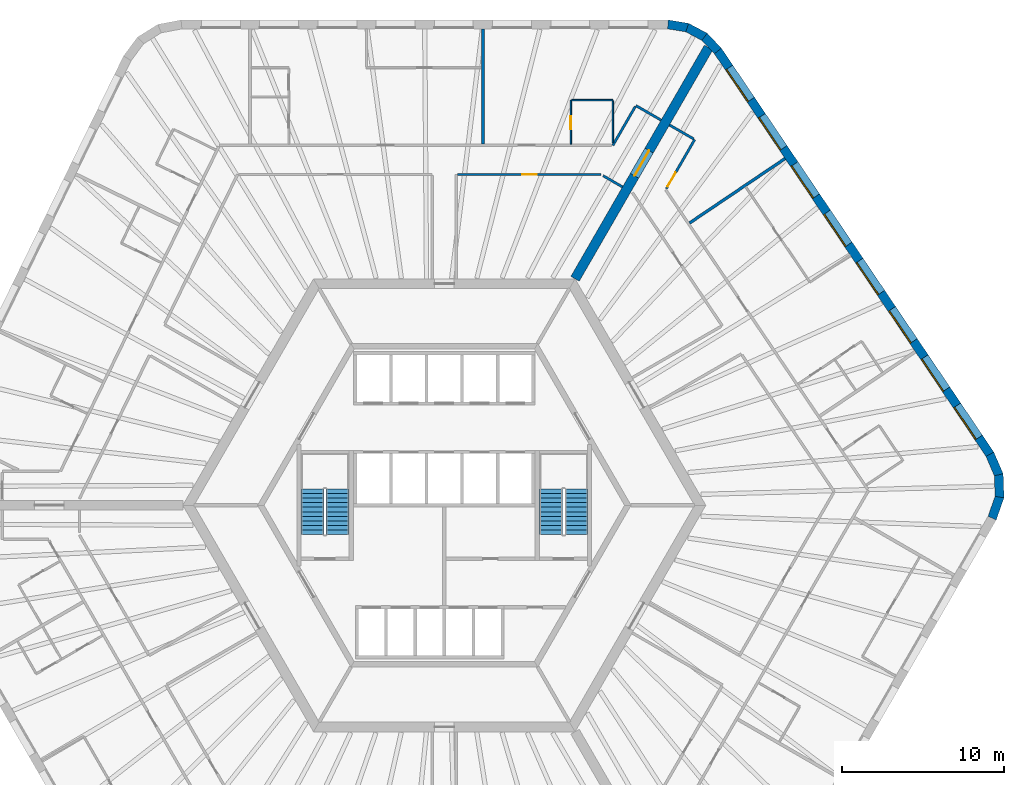
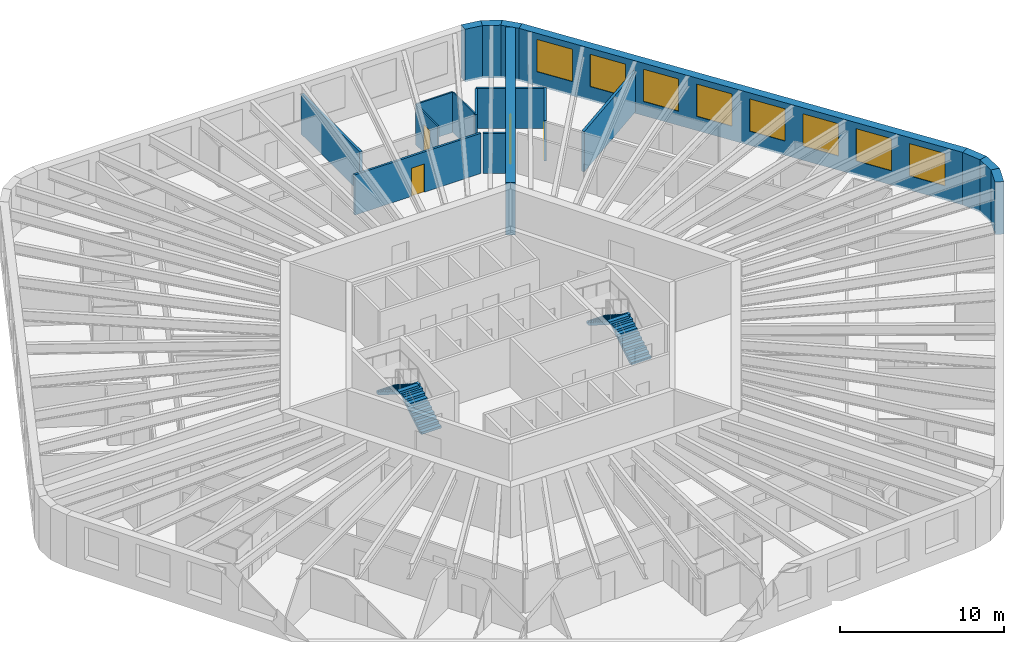
# One storey, part 10 of 11: 19 walls, 8 windows, 4 doors, 4 stair flights, 12 openings, 2 elements without a shape of their own.
"""IFC4 building model written with IfcOpenShell, lengths in metres."""

import ifcopenshell
import ifcopenshell.guid

model = None  # the IFC model being written
_history = None  # IfcOwnerHistory: only IFC2X3 demands one
_inside = {}  # id of a spatial element -> (the spatial element, [elements in it])
_under = {}  # id of a project, library or spatial element -> (it, [spatial elements below it])
_declared = {}  # id of a project -> (the project, [libraries it declares])
_typed = {}  # id of a type object -> (the type object, [elements of that type])
_made_of = {}  # id of a material, layer set ... -> (it, [elements and type objects made of it])


def new_model(schema):
    """Start an empty IFC model of exactly this schema.

    Asked for "IFC4X3", IfcOpenShell would pick the latest addendum, in which some entities
    have other attributes; the version numbers below select the first issue.
    IFC2X3 requires an IfcOwnerHistory on every rooted entity: one is made here for all.
    """
    global model, _history
    if schema == "IFC4X3":
        model = ifcopenshell.file(schema_version=(4, 3, 0, 0))
    else:
        model = ifcopenshell.file(schema=schema)
    _inside.clear()
    _under.clear()
    _declared.clear()
    _typed.clear()
    _made_of.clear()
    _history = None
    if model.schema == "IFC2X3":
        org = make("IfcOrganization", Name="unknown")
        user = make(
            "IfcPersonAndOrganization",
            ThePerson=make("IfcPerson", FamilyName="unknown"),
            TheOrganization=org,
        )
        app = make(
            "IfcApplication",
            ApplicationDeveloper=org,
            Version="unknown",
            ApplicationFullName="unknown",
            ApplicationIdentifier="unknown",
        )
        _history = make(
            "IfcOwnerHistory",
            OwningUser=user,
            OwningApplication=app,
            ChangeAction="ADDED",
            CreationDate=0,
        )
    return model


def make(cls, **values):
    """One entity of the class cls with the attributes given. An attribute that is None is left unset."""
    return model.create_entity(
        cls, **{name: value for name, value in values.items() if value is not None}
    )


def rooted(cls, **values):
    """An entity with a GlobalId (a new one), such as an element, a storey or a relation."""
    return make(cls, GlobalId=ifcopenshell.guid.new(), OwnerHistory=_history, **values)


def si_unit(unit_type, name, prefix=None):
    """IfcSIUnit, for example si_unit("LENGTHUNIT", "METRE", prefix="MILLI")."""
    return make("IfcSIUnit", UnitType=unit_type, Prefix=prefix, Name=name)


def assignment(units):
    """IfcUnitAssignment: the units of a project."""
    return None if units is None else make("IfcUnitAssignment", Units=units)


def point(xyz):
    """IfcCartesianPoint."""
    return None if xyz is None else make("IfcCartesianPoint", Coordinates=xyz)


def direction(xyz):
    """IfcDirection."""
    return None if xyz is None else make("IfcDirection", DirectionRatios=xyz)


def frame(location, z_axis=None, x_axis=None):
    """IfcAxis2Placement3D, a coordinate frame: its origin and axes. An axis left out is left unset."""
    return make(
        "IfcAxis2Placement3D",
        Location=point(location),
        Axis=direction(z_axis),
        RefDirection=direction(x_axis),
    )


def frame_2d(location, x_axis=None):
    """IfcAxis2Placement2D, a coordinate frame in the plane: its origin and x axis."""
    return make(
        "IfcAxis2Placement2D", Location=point(location), RefDirection=direction(x_axis)
    )


def origin():
    """The frame at (0, 0, 0) with its axes left unset."""
    return frame((0.0, 0.0, 0.0))


def place(relative_to, where):
    """IfcLocalPlacement: puts the frame where relative to a parent placement (None: the world)."""
    return make(
        "IfcLocalPlacement", PlacementRelTo=relative_to, RelativePlacement=where
    )


def context(
    kind, dimensions, precision=None, world=None, true_north=None, identifier=None
):
    """IfcGeometricRepresentationContext, for example the 3D "Model" context."""
    return make(
        "IfcGeometricRepresentationContext",
        ContextIdentifier=identifier,
        ContextType=kind,
        CoordinateSpaceDimension=dimensions,
        Precision=precision,
        WorldCoordinateSystem=world,
        TrueNorth=true_north,
    )


def subcontext(parent, identifier, kind, view, scale=None):
    """IfcGeometricRepresentationSubContext, for example "Body" below "Model"."""
    return make(
        "IfcGeometricRepresentationSubContext",
        ContextIdentifier=identifier,
        ContextType=kind,
        ParentContext=parent,
        TargetScale=scale,
        TargetView=view,
    )


def project(units=None, contexts=None):
    """IfcProject with its units and contexts."""
    return rooted(
        "IfcProject",
        Name="project",
        RepresentationContexts=contexts,
        UnitsInContext=assignment(units),
    )


def spatial(cls, under=None, at=None, **own):
    """A site, building, storey or space (cls), placed at a placement, below another one or the project."""
    s = rooted(cls, ObjectPlacement=at, **own)
    if under is not None:
        _under.setdefault(under.id(), (under, []))[1].append(s)
    return s


def polyline(points):
    """IfcPolyline through the points."""
    return make("IfcPolyline", Points=[point(p) for p in points])


def profile(cls, at=None, kind="AREA", **sizes):
    """A parametric profile (cls). Its sizes go by their IFC names, for example OverallWidth=200.0."""
    return make(cls, ProfileType=kind, Position=at, **sizes)


def rectangle(**sizes):
    """IfcRectangleProfileDef."""
    return profile("IfcRectangleProfileDef", **sizes)


def outline(outer, holes=None, kind="AREA"):
    """IfcArbitraryClosedProfileDef: a profile drawn as a closed curve; with holes, ...WithVoids."""
    if holes is None:
        return make("IfcArbitraryClosedProfileDef", ProfileType=kind, OuterCurve=outer)
    return make(
        "IfcArbitraryProfileDefWithVoids",
        ProfileType=kind,
        OuterCurve=outer,
        InnerCurves=holes,
    )


def extrude(swept, where, along, depth):
    """IfcExtrudedAreaSolid: the profile swept, set in the frame where, extruded along a direction by depth."""
    return make(
        "IfcExtrudedAreaSolid",
        SweptArea=swept,
        Position=where,
        ExtrudedDirection=direction(along),
        Depth=depth,
    )


def shape(context_of_items, identifier, shape_type, items):
    """IfcShapeRepresentation: the items that make up one representation, for example the "Body"."""
    return make(
        "IfcShapeRepresentation",
        ContextOfItems=context_of_items,
        RepresentationIdentifier=identifier,
        RepresentationType=shape_type,
        Items=items,
    )


def material(Name=None, Category=None):
    """IfcMaterial."""
    return make("IfcMaterial", Name=Name, Category=Category)


def layer(
    of_material, thickness, ventilated=None, Name=None, Category=None, Priority=None
):
    """IfcMaterialLayer: one layer of a wall or slab, of a material (None: an air gap)."""
    return make(
        "IfcMaterialLayer",
        Material=of_material,
        LayerThickness=thickness,
        IsVentilated=ventilated,
        Name=Name,
        Category=Category,
        Priority=Priority,
    )


def layer_set(layers, Name=None):
    """IfcMaterialLayerSet."""
    return make("IfcMaterialLayerSet", MaterialLayers=layers, LayerSetName=Name)


def made_of(thing, what):
    """Note that an element or type object is made of a material, layer set ...; save() writes the relation."""
    if what is not None:
        _made_of.setdefault(what.id(), (what, []))[1].append(thing)
    return thing


def type_object(cls, material=None, **own):
    """A type object (cls), such as IfcWallType, which elements share."""
    return made_of(rooted(cls, **own), material)


def element(
    cls,
    number,
    at=None,
    inside=None,
    cuts=None,
    type_object=None,
    material=None,
    context=None,
    identifier="Body",
    shape_type=None,
    held_by="IfcProductDefinitionShape",
    body=None,
    shapes=None,
    **own,
):
    """One element of the class cls, such as IfcWall. Its Tag is "e" and its number.

    at: its placement. inside: the storey or other place that contains it. cuts: it is an
    opening in that element (IfcRelVoidsElement). A single representation is given by context,
    identifier, shape_type and body (its items); several are given by shapes. held_by: the class
    of the entity that holds the representations. save() writes the other relations.
    """
    e = rooted(cls, Tag="e%d" % number, ObjectPlacement=at, **own)
    if body is not None:
        shapes = [shape(context, identifier, shape_type, body)]
    if shapes is not None:
        e.Representation = make(held_by, Representations=shapes)
    if inside is not None:
        _inside.setdefault(inside.id(), (inside, []))[1].append(e)
    if cuts is not None:
        rooted(
            "IfcRelVoidsElement", RelatingBuildingElement=cuts, RelatedOpeningElement=e
        )
    if type_object is not None:
        _typed.setdefault(type_object.id(), (type_object, []))[1].append(e)
    return made_of(e, material)


def fill(opening, filler):
    """IfcRelFillsElement: the door or window that sits in an opening."""
    return rooted(
        "IfcRelFillsElement",
        RelatingOpeningElement=opening,
        RelatedBuildingElement=filler,
    )


def aggregate(whole, parts):
    """IfcRelAggregates: a whole, such as a stair, and the parts it consists of."""
    return rooted("IfcRelAggregates", RelatingObject=whole, RelatedObjects=parts)


def save(model, path):
    """Write the relations noted so far, then the file.

    IfcRelAggregates (storeys below a building ...), IfcRelContainedInSpatialStructure (elements
    in a storey), IfcRelDefinesByType, IfcRelAssociatesMaterial and IfcRelDeclares: one each for
    every whole, place, type object, material and project.
    """
    for whole, parts in _under.values():
        aggregate(whole, parts)
    for where, things in _inside.values():
        rooted(
            "IfcRelContainedInSpatialStructure",
            RelatedElements=things,
            RelatingStructure=where,
        )
    for kind, things in _typed.values():
        rooted("IfcRelDefinesByType", RelatedObjects=things, RelatingType=kind)
    for what, things in _made_of.values():
        rooted("IfcRelAssociatesMaterial", RelatedObjects=things, RelatingMaterial=what)
    for by, libraries in _declared.values():
        rooted("IfcRelDeclares", RelatingContext=by, RelatedDefinitions=libraries)
    model.write(path)


model = new_model("IFC4")

# Units and contexts
model_context = context("Model", 3, precision=1e-05, world=origin(), true_north=direction((0.0, 1.0)))
body_context = subcontext(model_context, "Body", "Model", "MODEL_VIEW")
ifc_project = project(units=[si_unit("LENGTHUNIT", "METRE"), si_unit("AREAUNIT", "SQUARE_METRE"), si_unit("VOLUMEUNIT", "CUBIC_METRE"), si_unit("PLANEANGLEUNIT", "RADIAN"), si_unit("MASSUNIT", "GRAM", prefix="KILO")], contexts=[model_context])

# Site, building, storey
site_placement = place(None, origin())
site = spatial("IfcSite", under=ifc_project, at=site_placement, CompositionType="ELEMENT")
building_placement = place(site_placement, origin())
building = spatial("IfcBuilding", under=site, at=building_placement, Name="Tarnside Tower", CompositionType="ELEMENT")
storey_placement = place(building_placement, frame((0.0, 0.0, 107.699951171875)))
storey = spatial("IfcBuildingStorey", under=building, at=storey_placement, Name="L24", CompositionType="ELEMENT", Elevation=107.699951171875)

# Wall, opening, door
ifc_material_1 = material(Name="Gypsum board partition on steel studs", Category="steel")
ifc_layer_1 = layer(ifc_material_1, 0.10009765625)
ifc_layer_set_1 = layer_set([ifc_layer_1], Name="Bathroom wall 100")
wall_type_1 = type_object("IfcWallType", Name="Bathroom wall 100", PredefinedType="PARTITIONING", material=ifc_layer_set_1)
wall_1_placement = place(storey_placement, frame((7.8212890625, 22.324951171875, 0.0), z_axis=(0.0, 0.0, 1.0), x_axis=(0.0, 1.0, 0.0)))
wall_1 = element("IfcWall", 1, at=wall_1_placement, inside=storey, type_object=wall_type_1, Name="Bathroom wall 07076", PredefinedType="PARTITIONING", context=body_context, shape_type="SweptSolid", body=[
    extrude(rectangle(XDim=2.72509765625, YDim=0.10009765625, at=frame_2d((1.362548828125, 0.0))), origin(), (0.0, 0.0, 1.0), 2.98779296875),
])
opening_1_placement = place(wall_1_placement, frame((0.925048828125, 0.0, 0.0)))
opening_1 = element("IfcOpeningElement", 2, at=opening_1_placement, cuts=wall_1, Name="Opening D-B1", PredefinedType="OPENING", context=body_context, shape_type="SweptSolid", body=[
    extrude(rectangle(XDim=0.800048828125, YDim=2.10009765625, at=frame_2d((0.39990234375, 1.050048828125))), frame((0.0, 0.06005859375, 0.0), z_axis=(0.0, -1.0, 0.0), x_axis=(1.0, 0.0, 0.0)), (0.0, 0.0, 1.0), 0.1201171875),
])
ifc_material_2 = material(Name="Timber door leaf", Category="wood")
door_type_1 = type_object("IfcDoorType", Name="Bathroom door 800", OperationType="NOTDEFINED", PredefinedType="DOOR", material=ifc_material_2)
door_1_placement = place(opening_1_placement, origin())
door_1 = element("IfcDoor", 3, at=door_1_placement, inside=storey, type_object=door_type_1, Name="Bathroom door 07002", OperationType="SINGLE_SWING_RIGHT", OverallHeight=2.10009765625, OverallWidth=0.800048828125, PredefinedType="DOOR", context=body_context, shape_type="SweptSolid", body=[
    extrude(rectangle(XDim=0.800048828125, YDim=2.10009765625, at=frame_2d((0.39990234375, 1.050048828125))), frame((0.0, 0.02490234375, 0.0), z_axis=(0.0, -1.0, 0.0), x_axis=(1.0, 0.0, 0.0)), (0.0, 0.0, 1.0), 0.050048828125),
])
fill(opening_1, door_1)

# Walls
wall_2_placement = place(storey_placement, frame((7.87109375, 25.050048828125, 0.0), z_axis=(0.0, 0.0, 1.0), x_axis=(1.0, 0.0, 0.0)))
element("IfcWall", 4, at=wall_2_placement, inside=storey, type_object=wall_type_1, Name="Bathroom wall 07077", PredefinedType="PARTITIONING", context=body_context, shape_type="SweptSolid", body=[
    extrude(rectangle(XDim=2.550048828125, YDim=0.10009765625, at=frame_2d((1.27490234375, 0.0))), origin(), (0.0, 0.0, 1.0), 2.98779296875),
])
wall_3_placement = place(storey_placement, frame((10.421142578125, 25.0, 0.0), z_axis=(0.0, 0.0, 1.0), x_axis=(0.0, -1.0, 0.0)))
element("IfcWall", 5, at=wall_3_placement, inside=storey, type_object=wall_type_1, Name="Bathroom wall 07078", PredefinedType="PARTITIONING", context=body_context, shape_type="SweptSolid", body=[
    extrude(rectangle(XDim=2.60009765625, YDim=0.10009765625, at=frame_2d((1.300048828125, 0.0))), origin(), (0.0, 0.0, 1.0), 2.98779296875),
])

# Wall, opening, door
ifc_material_3 = material(Name="Concrete C80/95", Category="concrete")
ifc_layer_2 = layer(ifc_material_3, 0.60009765625)
ifc_layer_set_2 = layer_set([ifc_layer_2], Name="Core wall Z1 600 C80/95")
wall_type_2 = type_object("IfcWallType", Name="Core wall Z1 600 C80/95", PredefinedType="SHEAR", material=ifc_layer_set_2)
wall_4_placement = place(storey_placement, frame((8.0830078125, 14.0, -0.14990234375), z_axis=(0.0, 0.0, 1.0), x_axis=(0.499997680643, 0.866026742862, 0.0)))
wall_4 = element("IfcWall", 6, at=wall_4_placement, inside=storey, type_object=wall_type_2, Name="L24 spine wall 1", PredefinedType="SHEAR", context=body_context, shape_type="SweptSolid", body=[
    extrude(rectangle(XDim=16.5087890625, YDim=0.60009765625, at=frame_2d((8.25439453125, 0.0))), origin(), (0.0, 0.0, 1.0), 3.89990234375),
])
opening_2_placement = place(wall_4_placement, frame((7.3544921875, 0.0, 0.14990234375)))
opening_2 = element("IfcOpeningElement", 7, at=opening_2_placement, cuts=wall_4, Name="Opening CD-SPN", PredefinedType="OPENING", context=body_context, shape_type="SweptSolid", body=[
    extrude(rectangle(XDim=1.800048828125, YDim=2.39990234375, at=frame_2d((0.89990234375, 1.199951171875))), frame((0.0, 0.31005859375, 0.0), z_axis=(0.0, -1.0, 0.0), x_axis=(1.0, 0.0, 0.0)), (0.0, 0.0, 1.0), 0.6201171875),
])
ifc_material_4 = material(Name="Steel fire door", Category="steel")
door_type_2 = type_object("IfcDoorType", Name="Spine passage double door FD60 1800x2400", OperationType="NOTDEFINED", PredefinedType="DOOR", material=ifc_material_4)
door_2_placement = place(opening_2_placement, origin())
door_2 = element("IfcDoor", 8, at=door_2_placement, inside=storey, type_object=door_type_2, Name="L24 spine passage door 1", OperationType="DOUBLE_DOOR_SINGLE_SWING", OverallHeight=2.39990234375, OverallWidth=1.800048828125, PredefinedType="DOOR", context=body_context, shape_type="SweptSolid", body=[
    extrude(rectangle(XDim=1.800048828125, YDim=2.39990234375, at=frame_2d((0.89990234375, 1.199951171875))), frame((0.0, 0.02490234375, 0.0), z_axis=(0.0, -1.0, 0.0), x_axis=(1.0, 0.0, 0.0)), (0.0, 0.0, 1.0), 0.050048828125),
])
fill(opening_2, door_2)

# Walls
ifc_layer_3 = layer(ifc_material_1, 0.14990234375)
ifc_layer_set_3 = layer_set([ifc_layer_3], Name="Corridor wall 150 EI 60")
wall_type_3 = type_object("IfcWallType", Name="Corridor wall 150 EI 60", PredefinedType="PARTITIONING", material=ifc_layer_set_3)
wall_5_placement = place(storey_placement, frame((13.400390625, 23.81005859375, 0.0), z_axis=(0.0, 0.0, 1.0), x_axis=(-0.865989075817, 0.500062916607, 0.0)))
element("IfcWall", 9, at=wall_5_placement, inside=storey, type_object=wall_type_3, Name="Corridor wall 07002", PredefinedType="PARTITIONING", context=body_context, shape_type="SweptSolid", body=[
    extrude(rectangle(XDim=1.800048828125, YDim=0.14990234375, at=frame_2d((0.89990234375, 0.0))), origin(), (0.0, 0.0, 1.0), 2.98779296875),
])
wall_6_placement = place(storey_placement, frame((11.803955078125, 24.64501953125, 0.0), z_axis=(0.0, 0.0, 1.0), x_axis=(-0.500012835235, -0.866017993231, 0.0)))
element("IfcWall", 10, at=wall_6_placement, inside=storey, type_object=wall_type_3, Name="Corridor wall 07003", PredefinedType="PARTITIONING", context=body_context, shape_type="SweptSolid", body=[
    extrude(rectangle(XDim=2.765625, YDim=0.14990234375, at=frame_2d((1.3828125, 0.0))), origin(), (0.0, 0.0, 1.0), 2.98779296875),
])

# Wall, opening, door
wall_7_placement = place(storey_placement, frame((0.824951171875, 20.449951171875, 0.0), z_axis=(0.0, 0.0, 1.0), x_axis=(1.0, 0.0, 0.0)))
wall_7 = element("IfcWall", 11, at=wall_7_placement, inside=storey, type_object=wall_type_3, Name="Corridor wall 07023", PredefinedType="PARTITIONING", context=body_context, shape_type="SweptSolid", body=[
    extrude(rectangle(XDim=8.860107421875, YDim=0.14990234375, at=frame_2d((4.43017578125, 0.0))), origin(), (0.0, 0.0, 1.0), 2.98779296875),
])
opening_3_placement = place(wall_7_placement, frame((3.97998046875, 0.0, 0.0)))
opening_3 = element("IfcOpeningElement", 12, at=opening_3_placement, cuts=wall_7, Name="Opening D-S1", PredefinedType="OPENING", context=body_context, shape_type="SweptSolid", body=[
    extrude(rectangle(XDim=0.89990234375, YDim=2.10009765625, at=frame_2d((0.449951171875, 1.050048828125))), frame((0.0, 0.0849609375, 0.0), z_axis=(0.0, -1.0, 0.0), x_axis=(1.0, 0.0, 0.0)), (0.0, 0.0, 1.0), 0.169921875),
])
door_type_3 = type_object("IfcDoorType", Name="Service room door 900 FD30S", OperationType="NOTDEFINED", PredefinedType="DOOR", material=ifc_material_2)
door_3_placement = place(opening_3_placement, origin())
door_3 = element("IfcDoor", 13, at=door_3_placement, inside=storey, type_object=door_type_3, Name="Service door 07043", OperationType="SINGLE_SWING_LEFT", OverallHeight=2.10009765625, OverallWidth=0.89990234375, PredefinedType="DOOR", context=body_context, shape_type="SweptSolid", body=[
    extrude(rectangle(XDim=0.89990234375, YDim=2.10009765625, at=frame_2d((0.449951171875, 1.050048828125))), frame((0.0, 0.02490234375, 0.0), z_axis=(0.0, -1.0, 0.0), x_axis=(1.0, 0.0, 0.0)), (0.0, 0.0, 1.0), 0.050048828125),
])
fill(opening_3, door_3)

# Wall
wall_8_placement = place(storey_placement, frame((9.81494140625, 20.375, 0.0), z_axis=(0.0, 0.0, 1.0), x_axis=(0.86600392025, -0.500037208726, 0.0)))
element("IfcWall", 14, at=wall_8_placement, inside=storey, type_object=wall_type_3, Name="Corridor wall 07024", PredefinedType="PARTITIONING", context=body_context, shape_type="SweptSolid", body=[
    extrude(rectangle(XDim=1.3876953125, YDim=0.14990234375, at=frame_2d((0.69384765625, 0.0))), origin(), (0.0, 0.0, 1.0), 2.98779296875),
])

# Wall, opening, door
wall_9_placement = place(storey_placement, frame((13.72607421875, 19.573974609375, 0.0), z_axis=(0.0, 0.0, 1.0), x_axis=(0.499951531933, 0.866053385028, 0.0)))
wall_9 = element("IfcWall", 15, at=wall_9_placement, inside=storey, type_object=wall_type_3, Name="Corridor wall 07065", PredefinedType="PARTITIONING", context=body_context, shape_type="SweptSolid", body=[
    extrude(rectangle(XDim=3.505615234375, YDim=0.14990234375, at=frame_2d((1.7529296875, 0.0))), origin(), (0.0, 0.0, 1.0), 2.98779296875),
])
opening_4_placement = place(wall_9_placement, frame((0.14990234375, 0.0, 0.0)))
opening_4 = element("IfcOpeningElement", 16, at=opening_4_placement, cuts=wall_9, Name="Opening D-E1", PredefinedType="OPENING", context=body_context, shape_type="SweptSolid", body=[
    extrude(rectangle(XDim=1.0, YDim=2.10009765625, at=frame_2d((0.5, 1.050048828125))), frame((0.0, 0.0849609375, 0.0), z_axis=(0.0, -1.0, 0.0), x_axis=(1.0, 0.0, 0.0)), (0.0, 0.0, 1.0), 0.169921875),
])
door_type_4 = type_object("IfcDoorType", Name="Unit entrance door 1000 FD30S", OperationType="NOTDEFINED", PredefinedType="DOOR", material=ifc_material_2)
door_4_placement = place(opening_4_placement, origin())
door_4 = element("IfcDoor", 17, at=door_4_placement, inside=storey, type_object=door_type_4, Name="Unit door 07041", OperationType="SINGLE_SWING_RIGHT", OverallHeight=2.10009765625, OverallWidth=1.0, PredefinedType="DOOR", context=body_context, shape_type="SweptSolid", body=[
    extrude(rectangle(XDim=1.0, YDim=2.10009765625, at=frame_2d((0.5, 1.050048828125))), frame((0.0, 0.02490234375, 0.0), z_axis=(0.0, -1.0, 0.0), x_axis=(1.0, 0.0, 0.0)), (0.0, 0.0, 1.0), 0.050048828125),
])
fill(opening_4, door_4)

# Walls
wall_10_placement = place(storey_placement, frame((15.413818359375, 22.647705078125, 0.0), z_axis=(0.0, 0.0, 1.0), x_axis=(-0.866074815912, 0.499914405916, 0.0)))
element("IfcWall", 18, at=wall_10_placement, inside=storey, type_object=wall_type_3, Name="Corridor wall 07066", PredefinedType="PARTITIONING", context=body_context, shape_type="SweptSolid", body=[
    extrude(rectangle(XDim=1.724853515625, YDim=0.14990234375, at=frame_2d((0.8623046875, 0.0))), origin(), (0.0, 0.0, 1.0), 2.98779296875),
])
ifc_layer_4 = layer(ifc_material_1, 0.179931640625)
ifc_layer_set_4 = layer_set([ifc_layer_4], Name="Demising wall 180 EI 60")
wall_type_4 = type_object("IfcWallType", Name="Demising wall 180 EI 60", PredefinedType="PARTITIONING", material=ifc_layer_set_4)
for number, where, z_axis, x_axis, name in (
    (19, (2.388916015625, 29.449951171875, 0.0), (0.0, 0.0, 1.0), (0.0, -1.0, 0.0), "Demising wall 07079"),
    (20, (21.066162109375, 21.433349609375, 0.0), (0.0, 0.0, 1.0), (-0.829022625118, -0.559215063318, 0.0), "Demising wall 07156"),
):
    element("IfcWall", number, at=place(storey_placement, frame(where, z_axis=z_axis, x_axis=x_axis)), inside=storey, type_object=wall_type_4, Name=name, PredefinedType="PARTITIONING", context=body_context, shape_type="SweptSolid", body=[
        extrude(rectangle(XDim=7.125, YDim=0.179931640625, at=frame_2d((3.5625, 0.0))), origin(), (0.0, 0.0, 1.0), 2.98779296875),
    ])
ifc_material_5 = material(Name="Facing brick", Category="masonry")
ifc_layer_5 = layer(ifc_material_5, 0.10205078125)
ifc_material_6 = material(Name="Concrete C60/75 precast", Category="concrete")
ifc_layer_6 = layer(ifc_material_6, 0.347900390625)
ifc_material_7 = material(Name="Mineral wool insulation")
ifc_layer_7 = layer(ifc_material_7, 0.10009765625)
ifc_layer_set_5 = layer_set([ifc_layer_5, ifc_layer_6, ifc_layer_7], Name="Tube wall 550 brick faced")
wall_type_5 = type_object("IfcWallType", Name="Tube wall 550 brick faced", PredefinedType="SOLIDWALL", material=ifc_layer_set_5)
wall_11_placement = place(storey_placement, frame((33.865966796875, -0.79248046875, -0.14990234375), z_axis=(0.0, 0.0, 1.0), x_axis=(0.33111537203, 0.943590276765, 0.0)))
element("IfcWall", 21, at=wall_11_placement, inside=storey, type_object=wall_type_5, Name="Tube wall L24 F5 chord 17", PredefinedType="SOLIDWALL", context=body_context, shape_type="SweptSolid", body=[
    extrude(outline(polyline([(-0.025634765625, -0.27490234375), (1.4306640625, -0.27490234375), (1.3271484375, 0.27490234375), (0.025634765625, 0.27490234375), (-0.025634765625, -0.27490234375)])), origin(), (0.0, 0.0, 1.0), 3.89990234375),
])
wall_12_placement = place(storey_placement, frame((34.322509765625, 0.508544921875, -0.14990234375), z_axis=(0.0, 0.0, 1.0), x_axis=(-0.034876908462, 0.999391615562, 0.0)))
element("IfcWall", 22, at=wall_12_placement, inside=storey, type_object=wall_type_5, Name="Tube wall L24 F5 chord 18", PredefinedType="SOLIDWALL", context=body_context, shape_type="SweptSolid", body=[
    extrude(outline(polyline([(-0.0517578125, -0.27490234375), (1.4306640625, -0.27490234375), (1.3271484375, 0.27490234375), (0.0517578125, 0.27490234375), (-0.0517578125, -0.27490234375)])), origin(), (0.0, 0.0, 1.0), 3.89990234375),
])
wall_13_placement = place(storey_placement, frame((34.2744140625, 1.88671875, -0.14990234375), z_axis=(0.0, 0.0, 1.0), x_axis=(-0.396161342798, 0.918180913803, 0.0)))
element("IfcWall", 23, at=wall_13_placement, inside=storey, type_object=wall_type_5, Name="Tube wall L24 F5 chord 19", PredefinedType="SOLIDWALL", context=body_context, shape_type="SweptSolid", body=[
    extrude(outline(polyline([(-0.0517578125, -0.27490234375), (1.40478515625, -0.27490234375), (1.353515625, 0.27490234375), (0.0517578125, 0.27490234375), (-0.0517578125, -0.27490234375)])), origin(), (0.0, 0.0, 1.0), 3.89990234375),
])

# Wall, openings, windows
wall_14_placement = place(storey_placement, frame((33.72802734375, 3.153076171875, -0.14990234375), z_axis=(0.0, 0.0, 1.0), x_axis=(-0.559192411416, 0.82903790445, 0.0)))
wall_14 = element("IfcWall", 24, at=wall_14_placement, inside=storey, type_object=wall_type_5, Name="Tube wall L24 F6 flush 20", PredefinedType="SOLIDWALL", context=body_context, shape_type="SweptSolid", body=[
    extrude(outline(polyline([(-0.025634765625, -0.27490234375), (30.09326171875, -0.27490234375), (30.04833984375, 0.27490234375), (0.025634765625, 0.27490234375), (-0.025634765625, -0.27490234375)])), origin(), (0.0, 0.0, 1.0), 3.89990234375),
])
opening_5_placement = place(wall_14_placement, frame((1.235595703125, 0.0, 1.050048828125)))
opening_5 = element("IfcOpeningElement", 25, at=opening_5_placement, cuts=wall_14, Name="Opening WH", PredefinedType="OPENING", context=body_context, shape_type="SweptSolid", body=[
    extrude(rectangle(XDim=2.39990234375, YDim=2.39990234375, at=frame_2d((1.199951171875, 1.199951171875))), frame((0.0, 0.28515625, 0.0), z_axis=(0.0, -1.0, 0.0), x_axis=(1.0, 0.0, 0.0)), (0.0, 0.0, 1.0), 0.570068359375),
])
opening_6_placement = place(wall_14_placement, frame((4.83544921875, 0.0, 1.050048828125)))
opening_6 = element("IfcOpeningElement", 26, at=opening_6_placement, cuts=wall_14, Name="Opening WH", PredefinedType="OPENING", context=body_context, shape_type="SweptSolid", body=[
    extrude(rectangle(XDim=2.39990234375, YDim=2.39990234375, at=frame_2d((1.199951171875, 1.199951171875))), frame((0.0, 0.28515625, 0.0), z_axis=(0.0, -1.0, 0.0), x_axis=(1.0, 0.0, 0.0)), (0.0, 0.0, 1.0), 0.570068359375),
])
opening_7_placement = place(wall_14_placement, frame((8.435546875, 0.0, 1.050048828125)))
opening_7 = element("IfcOpeningElement", 27, at=opening_7_placement, cuts=wall_14, Name="Opening WH", PredefinedType="OPENING", context=body_context, shape_type="SweptSolid", body=[
    extrude(rectangle(XDim=2.39990234375, YDim=2.39990234375, at=frame_2d((1.199951171875, 1.199951171875))), frame((0.0, 0.28515625, 0.0), z_axis=(0.0, -1.0, 0.0), x_axis=(1.0, 0.0, 0.0)), (0.0, 0.0, 1.0), 0.570068359375),
])
opening_8_placement = place(wall_14_placement, frame((12.035400390625, 0.0, 1.050048828125)))
opening_8 = element("IfcOpeningElement", 28, at=opening_8_placement, cuts=wall_14, Name="Opening WH", PredefinedType="OPENING", context=body_context, shape_type="SweptSolid", body=[
    extrude(rectangle(XDim=2.39990234375, YDim=2.39990234375, at=frame_2d((1.199951171875, 1.199951171875))), frame((0.0, 0.28515625, 0.0), z_axis=(0.0, -1.0, 0.0), x_axis=(1.0, 0.0, 0.0)), (0.0, 0.0, 1.0), 0.570068359375),
])
opening_9_placement = place(wall_14_placement, frame((15.635498046875, 0.0, 1.050048828125)))
opening_9 = element("IfcOpeningElement", 29, at=opening_9_placement, cuts=wall_14, Name="Opening WH", PredefinedType="OPENING", context=body_context, shape_type="SweptSolid", body=[
    extrude(rectangle(XDim=2.39990234375, YDim=2.39990234375, at=frame_2d((1.199951171875, 1.199951171875))), frame((0.0, 0.28515625, 0.0), z_axis=(0.0, -1.0, 0.0), x_axis=(1.0, 0.0, 0.0)), (0.0, 0.0, 1.0), 0.570068359375),
])
opening_10_placement = place(wall_14_placement, frame((19.235595703125, 0.0, 1.050048828125)))
opening_10 = element("IfcOpeningElement", 30, at=opening_10_placement, cuts=wall_14, Name="Opening WH", PredefinedType="OPENING", context=body_context, shape_type="SweptSolid", body=[
    extrude(rectangle(XDim=2.39990234375, YDim=2.39990234375, at=frame_2d((1.199951171875, 1.199951171875))), frame((0.0, 0.28515625, 0.0), z_axis=(0.0, -1.0, 0.0), x_axis=(1.0, 0.0, 0.0)), (0.0, 0.0, 1.0), 0.570068359375),
])
opening_11_placement = place(wall_14_placement, frame((22.83544921875, 0.0, 1.050048828125)))
opening_11 = element("IfcOpeningElement", 31, at=opening_11_placement, cuts=wall_14, Name="Opening WH", PredefinedType="OPENING", context=body_context, shape_type="SweptSolid", body=[
    extrude(rectangle(XDim=2.39990234375, YDim=2.39990234375, at=frame_2d((1.199951171875, 1.199951171875))), frame((0.0, 0.28515625, 0.0), z_axis=(0.0, -1.0, 0.0), x_axis=(1.0, 0.0, 0.0)), (0.0, 0.0, 1.0), 0.570068359375),
])
opening_12_placement = place(wall_14_placement, frame((26.435546875, 0.0, 1.050048828125)))
opening_12 = element("IfcOpeningElement", 32, at=opening_12_placement, cuts=wall_14, Name="Opening WH", PredefinedType="OPENING", context=body_context, shape_type="SweptSolid", body=[
    extrude(rectangle(XDim=2.39990234375, YDim=2.39990234375, at=frame_2d((1.199951171875, 1.199951171875))), frame((0.0, 0.28515625, 0.0), z_axis=(0.0, -1.0, 0.0), x_axis=(1.0, 0.0, 0.0)), (0.0, 0.0, 1.0), 0.570068359375),
])
ifc_material_8 = material(Name="Aluminium-framed double glazing", Category="aluminium")
window_type = type_object("IfcWindowType", Name="Hotel window 2400 x 2400", PartitioningType="DOUBLE_PANEL_VERTICAL", PredefinedType="WINDOW", material=ifc_material_8)
window_1_placement = place(opening_5_placement, frame((0.0, 0.205078125, 0.0)))
window_1 = element("IfcWindow", 33, at=window_1_placement, inside=storey, type_object=window_type, Name="E.WN.L24.F6.00", OverallHeight=2.39990234375, OverallWidth=2.39990234375, PartitioningType="DOUBLE_PANEL_VERTICAL", PredefinedType="WINDOW", context=body_context, shape_type="SweptSolid", body=[
    extrude(rectangle(XDim=2.39990234375, YDim=2.39990234375, at=frame_2d((1.199951171875, 1.199951171875))), frame((0.0, 0.030029296875, 0.0), z_axis=(0.0, -1.0, 0.0), x_axis=(1.0, 0.0, 0.0)), (0.0, 0.0, 1.0), 0.06005859375),
])
fill(opening_5, window_1)
window_2_placement = place(opening_6_placement, frame((0.0, 0.205078125, 0.0)))
window_2 = element("IfcWindow", 34, at=window_2_placement, inside=storey, type_object=window_type, Name="E.WN.L24.F6.01", OverallHeight=2.39990234375, OverallWidth=2.39990234375, PartitioningType="DOUBLE_PANEL_VERTICAL", PredefinedType="WINDOW", context=body_context, shape_type="SweptSolid", body=[
    extrude(rectangle(XDim=2.39990234375, YDim=2.39990234375, at=frame_2d((1.199951171875, 1.199951171875))), frame((0.0, 0.030029296875, 0.0), z_axis=(0.0, -1.0, 0.0), x_axis=(1.0, 0.0, 0.0)), (0.0, 0.0, 1.0), 0.06005859375),
])
fill(opening_6, window_2)
window_3_placement = place(opening_7_placement, frame((0.0, 0.205078125, 0.0)))
window_3 = element("IfcWindow", 35, at=window_3_placement, inside=storey, type_object=window_type, Name="E.WN.L24.F6.02", OverallHeight=2.39990234375, OverallWidth=2.39990234375, PartitioningType="DOUBLE_PANEL_VERTICAL", PredefinedType="WINDOW", context=body_context, shape_type="SweptSolid", body=[
    extrude(rectangle(XDim=2.39990234375, YDim=2.39990234375, at=frame_2d((1.199951171875, 1.199951171875))), frame((0.0, 0.030029296875, 0.0), z_axis=(0.0, -1.0, 0.0), x_axis=(1.0, 0.0, 0.0)), (0.0, 0.0, 1.0), 0.06005859375),
])
fill(opening_7, window_3)
window_4_placement = place(opening_8_placement, frame((0.0, 0.205078125, 0.0)))
window_4 = element("IfcWindow", 36, at=window_4_placement, inside=storey, type_object=window_type, Name="E.WN.L24.F6.03", OverallHeight=2.39990234375, OverallWidth=2.39990234375, PartitioningType="DOUBLE_PANEL_VERTICAL", PredefinedType="WINDOW", context=body_context, shape_type="SweptSolid", body=[
    extrude(rectangle(XDim=2.39990234375, YDim=2.39990234375, at=frame_2d((1.199951171875, 1.199951171875))), frame((0.0, 0.030029296875, 0.0), z_axis=(0.0, -1.0, 0.0), x_axis=(1.0, 0.0, 0.0)), (0.0, 0.0, 1.0), 0.06005859375),
])
fill(opening_8, window_4)
window_5_placement = place(opening_9_placement, frame((0.0, 0.205078125, 0.0)))
window_5 = element("IfcWindow", 37, at=window_5_placement, inside=storey, type_object=window_type, Name="E.WN.L24.F6.04", OverallHeight=2.39990234375, OverallWidth=2.39990234375, PartitioningType="DOUBLE_PANEL_VERTICAL", PredefinedType="WINDOW", context=body_context, shape_type="SweptSolid", body=[
    extrude(rectangle(XDim=2.39990234375, YDim=2.39990234375, at=frame_2d((1.199951171875, 1.199951171875))), frame((0.0, 0.030029296875, 0.0), z_axis=(0.0, -1.0, 0.0), x_axis=(1.0, 0.0, 0.0)), (0.0, 0.0, 1.0), 0.06005859375),
])
fill(opening_9, window_5)
window_6_placement = place(opening_10_placement, frame((0.0, 0.205078125, 0.0)))
window_6 = element("IfcWindow", 38, at=window_6_placement, inside=storey, type_object=window_type, Name="E.WN.L24.F6.05", OverallHeight=2.39990234375, OverallWidth=2.39990234375, PartitioningType="DOUBLE_PANEL_VERTICAL", PredefinedType="WINDOW", context=body_context, shape_type="SweptSolid", body=[
    extrude(rectangle(XDim=2.39990234375, YDim=2.39990234375, at=frame_2d((1.199951171875, 1.199951171875))), frame((0.0, 0.030029296875, 0.0), z_axis=(0.0, -1.0, 0.0), x_axis=(1.0, 0.0, 0.0)), (0.0, 0.0, 1.0), 0.06005859375),
])
fill(opening_10, window_6)
window_7_placement = place(opening_11_placement, frame((0.0, 0.205078125, 0.0)))
window_7 = element("IfcWindow", 39, at=window_7_placement, inside=storey, type_object=window_type, Name="E.WN.L24.F6.06", OverallHeight=2.39990234375, OverallWidth=2.39990234375, PartitioningType="DOUBLE_PANEL_VERTICAL", PredefinedType="WINDOW", context=body_context, shape_type="SweptSolid", body=[
    extrude(rectangle(XDim=2.39990234375, YDim=2.39990234375, at=frame_2d((1.199951171875, 1.199951171875))), frame((0.0, 0.030029296875, 0.0), z_axis=(0.0, -1.0, 0.0), x_axis=(1.0, 0.0, 0.0)), (0.0, 0.0, 1.0), 0.06005859375),
])
fill(opening_11, window_7)
window_8_placement = place(opening_12_placement, frame((0.0, 0.205078125, 0.0)))
window_8 = element("IfcWindow", 40, at=window_8_placement, inside=storey, type_object=window_type, Name="E.WN.L24.F6.07", OverallHeight=2.39990234375, OverallWidth=2.39990234375, PartitioningType="DOUBLE_PANEL_VERTICAL", PredefinedType="WINDOW", context=body_context, shape_type="SweptSolid", body=[
    extrude(rectangle(XDim=2.39990234375, YDim=2.39990234375, at=frame_2d((1.199951171875, 1.199951171875))), frame((0.0, 0.030029296875, 0.0), z_axis=(0.0, -1.0, 0.0), x_axis=(1.0, 0.0, 0.0)), (0.0, 0.0, 1.0), 0.06005859375),
])
fill(opening_12, window_8)

# Walls
wall_15_placement = place(storey_placement, frame((16.91259765625, 28.0830078125, -0.14990234375), z_axis=(0.0, 0.0, 1.0), x_axis=(-0.686196220404, 0.727416488061, 0.0)))
element("IfcWall", 41, at=wall_15_placement, inside=storey, type_object=wall_type_5, Name="Tube wall L24 F6 chord 21", PredefinedType="SOLIDWALL", context=body_context, shape_type="SweptSolid", body=[
    extrude(outline(polyline([(-0.0224609375, -0.27490234375), (1.25341796875, -0.27490234375), (1.1630859375, 0.27490234375), (0.0224609375, 0.27490234375), (-0.0224609375, -0.27490234375)])), origin(), (0.0, 0.0, 1.0), 3.89990234375),
])
wall_16_placement = place(storey_placement, frame((16.08349609375, 28.9619140625, -0.14990234375), z_axis=(0.0, 0.0, 1.0), x_axis=(-0.882995347911, 0.469381737574, 0.0)))
element("IfcWall", 42, at=wall_16_placement, inside=storey, type_object=wall_type_5, Name="Tube wall L24 F6 chord 22", PredefinedType="SOLIDWALL", context=body_context, shape_type="SweptSolid", body=[
    extrude(outline(polyline([(-0.045166015625, -0.27490234375), (1.25341796875, -0.27490234375), (1.1630859375, 0.27490234375), (0.045166015625, 0.27490234375), (-0.045166015625, -0.27490234375)])), origin(), (0.0, 0.0, 1.0), 3.89990234375),
])
wall_17_placement = place(storey_placement, frame((15.0166015625, 29.529052734375, -0.14990234375), z_axis=(0.0, 0.0, 1.0), x_axis=(-0.986746625868, 0.162268593195, 0.0)))
element("IfcWall", 43, at=wall_17_placement, inside=storey, type_object=wall_type_5, Name="Tube wall L24 F6 chord 23", PredefinedType="SOLIDWALL", context=body_context, shape_type="SweptSolid", body=[
    extrude(outline(polyline([(-0.045166015625, -0.27490234375), (1.230712890625, -0.27490234375), (1.185791015625, 0.27490234375), (0.045166015625, 0.27490234375), (-0.045166015625, -0.27490234375)])), origin(), (0.0, 0.0, 1.0), 3.89990234375),
])

# Stair, stair flights
ifc_material_9 = material(Name="Concrete C40/50", Category="concrete")
stair_type = type_object("IfcStairType", Name="Exit stair 1400 clear", PredefinedType="HALF_TURN_STAIR", material=ifc_material_9)
stair_1_placement = place(storey_placement, origin())
stair_1 = element("IfcStair", 44, at=stair_1_placement, inside=storey, type_object=stair_type, Name="L24 Exit stair 1", PredefinedType="HALF_TURN_STAIR")
stair_flight_type = type_object("IfcStairFlightType", Name="Exit stair flight 1400", PredefinedType="STRAIGHT", material=ifc_material_9)
stair_flight_1_placement = place(storey_placement, frame((8.14990234375, -1.800048828125, 0.0), z_axis=(0.0, 0.0, 1.0), x_axis=(0.0, 1.0, 0.0)))
stair_flight_1 = element("IfcStairFlight", 45, at=stair_flight_1_placement, type_object=stair_flight_type, Name="ST1 flight 1", NumberOfRisers=11, NumberOfTreads=10, PredefinedType="STRAIGHT", RiserHeight=0.177272727, TreadLength=0.28, context=body_context, shape_type="SweptSolid", body=[
    extrude(outline(polyline([(0.0, 0.0), (0.0, 0.17724609375), (0.280029296875, 0.17724609375), (0.280029296875, 0.3544921875), (0.56005859375, 0.3544921875), (0.56005859375, 0.53173828125), (0.840087890625, 0.53173828125), (0.840087890625, 0.708984375), (1.1201171875, 0.708984375), (1.1201171875, 0.886474609375), (1.39990234375, 0.886474609375), (1.39990234375, 1.063720703125), (1.679931640625, 1.063720703125), (1.679931640625, 1.240966796875), (1.9599609375, 1.240966796875), (1.9599609375, 1.418212890625), (2.239990234375, 1.418212890625), (2.239990234375, 1.595458984375), (2.52001953125, 1.595458984375), (2.52001953125, 1.772705078125), (2.800048828125, 1.772705078125), (2.800048828125, 1.949951171875), (2.800048828125, 1.59521484375), (0.2802734375, 0.0), (0.0, 0.0)])), frame((0.0, 0.699951171875, 0.0), z_axis=(0.0, -1.0, 0.0), x_axis=(1.0, 0.0, 0.0)), (0.0, 0.0, 1.0), 1.39990234375),
])
stair_flight_2_placement = place(storey_placement, frame((6.60009765625, 1.0, 1.949951171875), z_axis=(0.0, 0.0, 1.0), x_axis=(0.0, -1.0, 0.0)))
stair_flight_2 = element("IfcStairFlight", 46, at=stair_flight_2_placement, type_object=stair_flight_type, Name="ST1 flight 2", NumberOfRisers=11, NumberOfTreads=10, PredefinedType="STRAIGHT", RiserHeight=0.177272727, TreadLength=0.28, context=body_context, shape_type="SweptSolid", body=[
    extrude(outline(polyline([(0.0, 0.0), (0.0, 0.17724609375), (0.280029296875, 0.17724609375), (0.280029296875, 0.3544921875), (0.56005859375, 0.3544921875), (0.56005859375, 0.53173828125), (0.840087890625, 0.53173828125), (0.840087890625, 0.708984375), (1.1201171875, 0.708984375), (1.1201171875, 0.886474609375), (1.39990234375, 0.886474609375), (1.39990234375, 1.063720703125), (1.679931640625, 1.063720703125), (1.679931640625, 1.240966796875), (1.9599609375, 1.240966796875), (1.9599609375, 1.418212890625), (2.239990234375, 1.418212890625), (2.239990234375, 1.595458984375), (2.52001953125, 1.595458984375), (2.52001953125, 1.772705078125), (2.800048828125, 1.772705078125), (2.800048828125, 1.949951171875), (2.800048828125, 1.59521484375), (0.2802734375, 0.0), (0.0, 0.0)])), frame((0.0, 0.699951171875, 0.0), z_axis=(0.0, -1.0, 0.0), x_axis=(1.0, 0.0, 0.0)), (0.0, 0.0, 1.0), 1.39990234375),
])
aggregate(stair_1, [stair_flight_1, stair_flight_2])

stair_2_placement = place(storey_placement, origin())
stair_2 = element("IfcStair", 47, at=stair_2_placement, inside=storey, type_object=stair_type, Name="L24 Exit stair 2", PredefinedType="HALF_TURN_STAIR")
stair_flight_3_placement = place(storey_placement, frame((-6.60009765625, -1.800048828125, 0.0), z_axis=(0.0, 0.0, 1.0), x_axis=(0.0, 1.0, 0.0)))
stair_flight_3 = element("IfcStairFlight", 48, at=stair_flight_3_placement, type_object=stair_flight_type, Name="ST2 flight 1", NumberOfRisers=11, NumberOfTreads=10, PredefinedType="STRAIGHT", RiserHeight=0.177272727, TreadLength=0.28, context=body_context, shape_type="SweptSolid", body=[
    extrude(outline(polyline([(0.0, 0.0), (0.0, 0.17724609375), (0.280029296875, 0.17724609375), (0.280029296875, 0.3544921875), (0.56005859375, 0.3544921875), (0.56005859375, 0.53173828125), (0.840087890625, 0.53173828125), (0.840087890625, 0.708984375), (1.1201171875, 0.708984375), (1.1201171875, 0.886474609375), (1.39990234375, 0.886474609375), (1.39990234375, 1.063720703125), (1.679931640625, 1.063720703125), (1.679931640625, 1.240966796875), (1.9599609375, 1.240966796875), (1.9599609375, 1.418212890625), (2.239990234375, 1.418212890625), (2.239990234375, 1.595458984375), (2.52001953125, 1.595458984375), (2.52001953125, 1.772705078125), (2.800048828125, 1.772705078125), (2.800048828125, 1.949951171875), (2.800048828125, 1.59521484375), (0.2802734375, 0.0), (0.0, 0.0)])), frame((0.0, 0.699951171875, 0.0), z_axis=(0.0, -1.0, 0.0), x_axis=(1.0, 0.0, 0.0)), (0.0, 0.0, 1.0), 1.39990234375),
])
stair_flight_4_placement = place(storey_placement, frame((-8.14990234375, 1.0, 1.949951171875), z_axis=(0.0, 0.0, 1.0), x_axis=(0.0, -1.0, 0.0)))
stair_flight_4 = element("IfcStairFlight", 49, at=stair_flight_4_placement, type_object=stair_flight_type, Name="ST2 flight 2", NumberOfRisers=11, NumberOfTreads=10, PredefinedType="STRAIGHT", RiserHeight=0.177272727, TreadLength=0.28, context=body_context, shape_type="SweptSolid", body=[
    extrude(outline(polyline([(0.0, 0.0), (0.0, 0.17724609375), (0.280029296875, 0.17724609375), (0.280029296875, 0.3544921875), (0.56005859375, 0.3544921875), (0.56005859375, 0.53173828125), (0.840087890625, 0.53173828125), (0.840087890625, 0.708984375), (1.1201171875, 0.708984375), (1.1201171875, 0.886474609375), (1.39990234375, 0.886474609375), (1.39990234375, 1.063720703125), (1.679931640625, 1.063720703125), (1.679931640625, 1.240966796875), (1.9599609375, 1.240966796875), (1.9599609375, 1.418212890625), (2.239990234375, 1.418212890625), (2.239990234375, 1.595458984375), (2.52001953125, 1.595458984375), (2.52001953125, 1.772705078125), (2.800048828125, 1.772705078125), (2.800048828125, 1.949951171875), (2.800048828125, 1.59521484375), (0.2802734375, 0.0), (0.0, 0.0)])), frame((0.0, 0.699951171875, 0.0), z_axis=(0.0, -1.0, 0.0), x_axis=(1.0, 0.0, 0.0)), (0.0, 0.0, 1.0), 1.39990234375),
])
aggregate(stair_2, [stair_flight_3, stair_flight_4])

save(model, "model.ifc")
